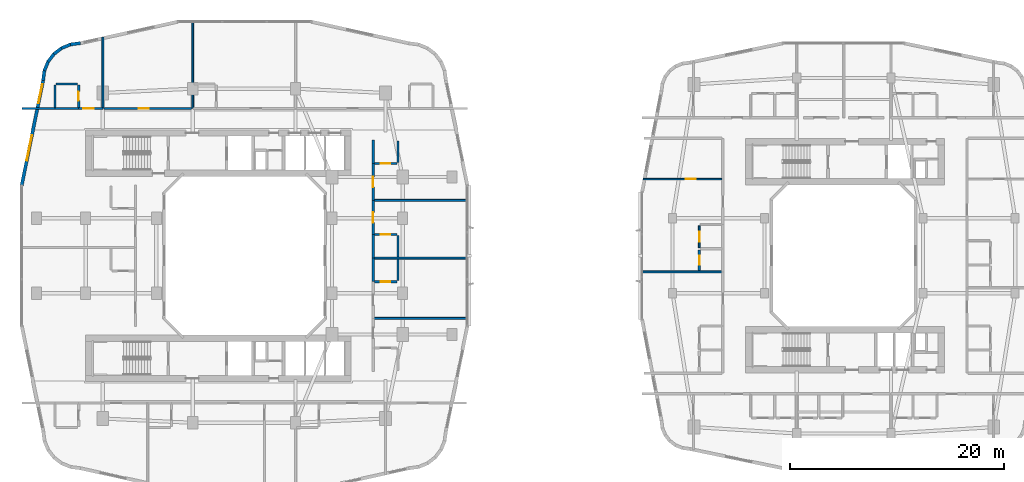
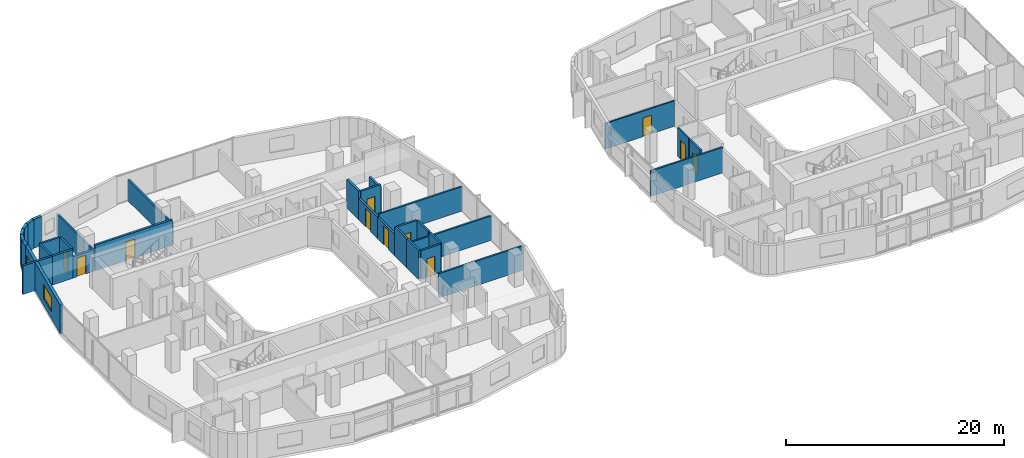
# One storey, part 16 of 27: 34 walls, 11 doors, 2 windows, 13 openings.
"""IFC4 building model written with IfcOpenShell, lengths in metres."""

from ifc_helpers import new_model, si_unit, derived_unit, direction, frame, frame_2d, origin, place, context, subcontext, project, spatial, rectangle, extrude, material, layer, layer_set, type_object, element, fill, save


model = new_model("IFC4")

# Units and contexts
model_context = context("Model", 3, precision=1e-05, world=origin(), true_north=direction((0.0, 1.0)))
body_context = subcontext(model_context, "Body", "Model", "MODEL_VIEW")
ifc_project = project(units=[si_unit("LENGTHUNIT", "METRE"), si_unit("AREAUNIT", "SQUARE_METRE"), si_unit("VOLUMEUNIT", "CUBIC_METRE"), si_unit("PLANEANGLEUNIT", "RADIAN"), si_unit("MASSUNIT", "GRAM", prefix="KILO"), derived_unit("THERMALTRANSMITTANCEUNIT", [(si_unit("POWERUNIT", "WATT"), 1), (si_unit("LENGTHUNIT", "METRE"), -2), (si_unit("THERMODYNAMICTEMPERATUREUNIT", "KELVIN"), -1)])], contexts=[model_context])

# Site, building, storey
site_placement = place(None, origin())
site = spatial("IfcSite", under=ifc_project, at=site_placement, CompositionType="ELEMENT")
building_placement = place(site_placement, origin())
building = spatial("IfcBuilding", under=site, at=building_placement, Name="Kivonza Crest Hotel", CompositionType="ELEMENT")
storey_placement = place(building_placement, frame((0.0, 0.0, 38.0)))
storey = spatial("IfcBuildingStorey", under=building, at=storey_placement, Name="L09", CompositionType="ELEMENT", Elevation=38.0)

# Walls
ifc_material_1 = material(Name="High-density acoustic masonry inter-tenancy wall", Category="masonry")
ifc_layer_1 = layer(ifc_material_1, 0.179931640625)
ifc_layer_set_1 = layer_set([ifc_layer_1], Name="High-density acoustic masonry inter-tenancy wall")
wall_type_1 = type_object("IfcWallType", Name="WL-ACOU-180", PredefinedType="SOLIDWALL", material=ifc_layer_set_1)
wall_1_placement = place(storey_placement, frame((7.800048828125, 38.75, 0.0), z_axis=(0.0, 0.0, 1.0), x_axis=(0.0, 1.0, 0.0)))
element("IfcWall", 1, at=wall_1_placement, inside=storey, type_object=wall_type_1, Name="L09 interior partition WA-L09-T1N-DIV1", PredefinedType="SOLIDWALL", context=body_context, shape_type="SweptSolid", body=[
    extrude(rectangle(XDim=6.656005859375, YDim=0.179931640625, at=frame_2d((3.328125, 0.0))), origin(), (0.0, 0.0, 1.0), 2.39501953125),
])
wall_2_placement = place(storey_placement, frame((16.199951171875, 38.75, 0.0), z_axis=(0.0, 0.0, 1.0), x_axis=(0.0, 1.0, 0.0)))
element("IfcWall", 2, at=wall_2_placement, inside=storey, type_object=wall_type_1, Name="L09 interior partition WA-L09-T1N-DIV2", PredefinedType="SOLIDWALL", context=body_context, shape_type="SweptSolid", body=[
    extrude(rectangle(XDim=8.18994140625, YDim=0.179931640625, at=frame_2d((4.094970703125, 0.0))), origin(), (0.0, 0.0, 1.0), 2.39501953125),
])
for number, where, z_axis, x_axis, name in (
    (3, (33.050048828125, 19.156005859375, 0.0), (0.0, 0.0, 1.0), (1.0, 0.0, 0.0), "L09 interior partition WA-L09-T1E-DIV1"),
    (4, (33.050048828125, 24.77197265625, 0.0), (0.0, 0.0, 1.0), (1.0, 0.0, 0.0), "L09 interior partition WA-L09-T1E-DIV2"),
    (5, (33.050048828125, 30.172119140625, 0.0), (0.0, 0.0, 1.0), (1.0, 0.0, 0.0), "L09 interior partition WA-L09-T1E-DIV3"),
):
    element("IfcWall", number, at=place(storey_placement, frame(where, z_axis=z_axis, x_axis=x_axis)), inside=storey, type_object=wall_type_1, Name=name, PredefinedType="SOLIDWALL", context=body_context, shape_type="SweptSolid", body=[
        extrude(rectangle(XDim=8.889892578125, YDim=0.179931640625, at=frame_2d((4.44482421875, 0.0))), origin(), (0.0, 0.0, 1.0), 2.7451171875),
    ])
wall_3_placement = place(storey_placement, frame((58.06005859375, 23.5, 0.0), z_axis=(0.0, 0.0, 1.0), x_axis=(1.0, 0.0, 0.0)))
element("IfcWall", 6, at=wall_3_placement, inside=storey, type_object=wall_type_1, Name="L09 interior partition WA-L09-T2W-DIV1", PredefinedType="SOLIDWALL", context=body_context, shape_type="SweptSolid", body=[
    extrude(rectangle(XDim=7.639892578125, YDim=0.179931640625, at=frame_2d((3.81982421875, 0.0))), origin(), (0.0, 0.0, 1.0), 2.864990234375),
])
ifc_material_2 = material(Name="Autoclaved aerated concrete blockwork", Category="masonry")
ifc_layer_2 = layer(ifc_material_2, 0.219970703125)
ifc_layer_set_2 = layer_set([ifc_layer_2], Name="Autoclaved aerated concrete blockwork")
wall_type_2 = type_object("IfcWallType", Name="WL-ACOU-220", PredefinedType="SOLIDWALL", material=ifc_layer_set_2)
wall_4_placement = place(storey_placement, frame((0.239990234375, 38.75, 0.0), z_axis=(0.0, 0.0, 1.0), x_axis=(1.0, 0.0, 0.0)))
element("IfcWall", 7, at=wall_4_placement, inside=storey, type_object=wall_type_2, Name="L09 interior partition WA-L09-N01-XCORR", PredefinedType="SOLIDWALL", context=body_context, shape_type="SweptSolid", body=[
    extrude(rectangle(XDim=3.110107421875, YDim=0.219970703125, at=frame_2d((1.55517578125, 0.0))), origin(), (0.0, 0.0, 1.0), 3.219970703125),
])
wall_5_placement = place(storey_placement, frame((3.35009765625, 38.75, 0.0), z_axis=(0.0, 0.0, 1.0), x_axis=(1.0, 0.0, 0.0)))
element("IfcWall", 8, at=wall_5_placement, inside=storey, type_object=wall_type_2, Name="L09 interior partition WA-L09-N01-BCORR", PredefinedType="SOLIDWALL", context=body_context, shape_type="SweptSolid", body=[
    extrude(rectangle(XDim=2.199951171875, YDim=0.219970703125, at=frame_2d((1.10009765625, 0.0))), origin(), (0.0, 0.0, 1.0), 3.219970703125),
])

# Wall, opening, door
wall_6_placement = place(storey_placement, frame((5.550048828125, 38.75, 0.0), z_axis=(0.0, 0.0, 1.0), x_axis=(1.0, 0.0, 0.0)))
wall_6 = element("IfcWall", 9, at=wall_6_placement, inside=storey, type_object=wall_type_2, Name="L09 interior partition WA-L09-N01-MCORR", PredefinedType="SOLIDWALL", context=body_context, shape_type="SweptSolid", body=[
    extrude(rectangle(XDim=2.25, YDim=0.219970703125, at=frame_2d((1.125, 0.0))), origin(), (0.0, 0.0, 1.0), 2.39501953125),
])
opening_1_placement = place(wall_6_placement, frame((0.43994140625, 0.0, 0.0)))
opening_1 = element("IfcOpeningElement", 10, at=opening_1_placement, cuts=wall_6, Name="Opening DU-60", PredefinedType="OPENING", context=body_context, shape_type="SweptSolid", body=[
    extrude(rectangle(XDim=0.949951171875, YDim=2.10009765625, at=frame_2d((0.47509765625, 1.050048828125))), frame((0.0, 0.1201171875, 0.0), z_axis=(0.0, -1.0, 0.0), x_axis=(1.0, 0.0, 0.0)), (0.0, 0.0, 1.0), 0.239990234375),
])
ifc_material_3 = material(Name="Hardwood timber oak", Category="wood")
door_type_1 = type_object("IfcDoorType", Name="DR-UNIT-950", OperationType="NOTDEFINED", PredefinedType="DOOR", material=ifc_material_3)
door_1_placement = place(opening_1_placement, origin())
door_1 = element("IfcDoor", 11, at=door_1_placement, inside=storey, type_object=door_type_1, Name="L09 N01 guest unit entrance fire door", OperationType="SINGLE_SWING_LEFT", OverallHeight=2.10009765625, OverallWidth=0.949951171875, PredefinedType="DOOR", context=body_context, shape_type="SweptSolid", body=[
    extrude(rectangle(XDim=0.949951171875, YDim=2.10009765625, at=frame_2d((0.47509765625, 1.050048828125))), frame((0.0, 0.02490234375, 0.0), z_axis=(0.0, -1.0, 0.0), x_axis=(1.0, 0.0, 0.0)), (0.0, 0.0, 1.0), 0.050048828125),
])
fill(opening_1, door_1)

wall_7_placement = place(storey_placement, frame((7.89990234375, 38.75, 0.0), z_axis=(0.0, 0.0, 1.0), x_axis=(1.0, 0.0, 0.0)))
wall_7 = element("IfcWall", 12, at=wall_7_placement, inside=storey, type_object=wall_type_2, Name="L09 interior partition WA-L09-HK-MAIN-S", PredefinedType="SOLIDWALL", context=body_context, shape_type="SweptSolid", body=[
    extrude(rectangle(XDim=8.2001953125, YDim=0.219970703125, at=frame_2d((4.10009765625, 0.0))), origin(), (0.0, 0.0, 1.0), 2.864990234375),
])
opening_2_placement = place(wall_7_placement, frame((3.251953125, 0.0, 0.0)))
opening_2 = element("IfcOpeningElement", 13, at=opening_2_placement, cuts=wall_7, Name="Opening DF-60S", PredefinedType="OPENING", context=body_context, shape_type="SweptSolid", body=[
    extrude(rectangle(XDim=0.949951171875, YDim=2.10009765625, at=frame_2d((0.47509765625, 1.050048828125))), frame((0.0, 0.1201171875, 0.0), z_axis=(0.0, -1.0, 0.0), x_axis=(1.0, 0.0, 0.0)), (0.0, 0.0, 1.0), 0.239990234375),
])
door_type_2 = type_object("IfcDoorType", Name="DR-FD60-950", OperationType="NOTDEFINED", PredefinedType="DOOR", material=ifc_material_3)
door_2_placement = place(opening_2_placement, origin())
door_2 = element("IfcDoor", 14, at=door_2_placement, inside=storey, type_object=door_type_2, Name="L09 Housekeeping and Linen Room door", OperationType="SINGLE_SWING_RIGHT", OverallHeight=2.10009765625, OverallWidth=0.949951171875, PredefinedType="DOOR", context=body_context, shape_type="SweptSolid", body=[
    extrude(rectangle(XDim=0.949951171875, YDim=2.10009765625, at=frame_2d((0.47509765625, 1.050048828125))), frame((0.0, 0.02490234375, 0.0), z_axis=(0.0, -1.0, 0.0), x_axis=(1.0, 0.0, 0.0)), (0.0, 0.0, 1.0), 0.050048828125),
])
fill(opening_2, door_2)

# Walls
for number, where, z_axis, x_axis, name in (
    (15, (33.050048828125, 22.572021484375, 0.0), (0.0, 0.0, 1.0), (0.0, 1.0, 0.0), "L09 interior partition WA-L09-E10-BCORR"),
    (16, (33.050048828125, 24.77197265625, 0.0), (0.0, 0.0, 1.0), (0.0, 1.0, 0.0), "L09 interior partition WA-L09-E11-BCORR"),
):
    element("IfcWall", number, at=place(storey_placement, frame(where, z_axis=z_axis, x_axis=x_axis)), inside=storey, type_object=wall_type_2, Name=name, PredefinedType="SOLIDWALL", context=body_context, shape_type="SweptSolid", body=[
        extrude(rectangle(XDim=2.199951171875, YDim=0.219970703125, at=frame_2d((1.10009765625, 0.0))), origin(), (0.0, 0.0, 1.0), 3.219970703125),
    ])

# Wall, opening, door
wall_8_placement = place(storey_placement, frame((33.050048828125, 26.971923828125, 0.0), z_axis=(0.0, 0.0, 1.0), x_axis=(0.0, 1.0, 0.0)))
wall_8 = element("IfcWall", 17, at=wall_8_placement, inside=storey, type_object=wall_type_2, Name="L09 interior partition WA-L09-E11-MCORR", PredefinedType="SOLIDWALL", context=body_context, shape_type="SweptSolid", body=[
    extrude(rectangle(XDim=3.2001953125, YDim=0.219970703125, at=frame_2d((1.60009765625, 0.0))), origin(), (0.0, 0.0, 1.0), 2.39501953125),
])
opening_3_placement = place(wall_8_placement, frame((1.125, 0.0, 0.0)))
opening_3 = element("IfcOpeningElement", 18, at=opening_3_placement, cuts=wall_8, Name="Opening DU-60", PredefinedType="OPENING", context=body_context, shape_type="SweptSolid", body=[
    extrude(rectangle(XDim=0.949951171875, YDim=2.10009765625, at=frame_2d((0.47509765625, 1.050048828125))), frame((0.0, 0.1201171875, 0.0), z_axis=(0.0, -1.0, 0.0), x_axis=(1.0, 0.0, 0.0)), (0.0, 0.0, 1.0), 0.239990234375),
])
door_3_placement = place(opening_3_placement, frame((0.949951171875, 0.0, 0.0), z_axis=(0.0, 0.0, 1.0), x_axis=(-1.0, 0.0, 0.0)))
door_3 = element("IfcDoor", 19, at=door_3_placement, inside=storey, type_object=door_type_1, Name="L09 E11 guest unit entrance fire door", OperationType="SINGLE_SWING_LEFT", OverallHeight=2.10009765625, OverallWidth=0.949951171875, PredefinedType="DOOR", context=body_context, shape_type="SweptSolid", body=[
    extrude(rectangle(XDim=0.949951171875, YDim=2.10009765625, at=frame_2d((0.47509765625, 1.050048828125))), frame((0.0, 0.02490234375, 0.0), z_axis=(0.0, -1.0, 0.0), x_axis=(1.0, 0.0, 0.0)), (0.0, 0.0, 1.0), 0.050048828125),
])
fill(opening_3, door_3)

# Wall
wall_9_placement = place(storey_placement, frame((33.050048828125, 33.60009765625, 0.0), z_axis=(0.0, 0.0, 1.0), x_axis=(0.0, 1.0, 0.0)))
element("IfcWall", 20, at=wall_9_placement, inside=storey, type_object=wall_type_2, Name="L09 interior partition WA-L09-E12-BCORR", PredefinedType="SOLIDWALL", context=body_context, shape_type="SweptSolid", body=[
    extrude(rectangle(XDim=2.199951171875, YDim=0.219970703125, at=frame_2d((1.10009765625, 0.0))), origin(), (0.0, 0.0, 1.0), 3.219970703125),
])

# Wall, opening, door
wall_10_placement = place(storey_placement, frame((33.050048828125, 30.172119140625, 0.0), z_axis=(0.0, 0.0, 1.0), x_axis=(0.0, 1.0, 0.0)))
wall_10 = element("IfcWall", 21, at=wall_10_placement, inside=storey, type_object=wall_type_2, Name="L09 interior partition WA-L09-E12-MCORR", PredefinedType="SOLIDWALL", context=body_context, shape_type="SweptSolid", body=[
    extrude(rectangle(XDim=3.427978515625, YDim=0.219970703125, at=frame_2d((1.7138671875, 0.0))), origin(), (0.0, 0.0, 1.0), 2.39501953125),
])
opening_4_placement = place(wall_10_placement, frame((1.239013671875, 0.0, 0.0)))
opening_4 = element("IfcOpeningElement", 22, at=opening_4_placement, cuts=wall_10, Name="Opening DU-60", PredefinedType="OPENING", context=body_context, shape_type="SweptSolid", body=[
    extrude(rectangle(XDim=0.949951171875, YDim=2.10009765625, at=frame_2d((0.47509765625, 1.050048828125))), frame((0.0, 0.1201171875, 0.0), z_axis=(0.0, -1.0, 0.0), x_axis=(1.0, 0.0, 0.0)), (0.0, 0.0, 1.0), 0.239990234375),
])
door_4_placement = place(opening_4_placement, frame((0.949951171875, 0.0, 0.0), z_axis=(0.0, 0.0, 1.0), x_axis=(-1.0, 0.0, 0.0)))
door_4 = element("IfcDoor", 23, at=door_4_placement, inside=storey, type_object=door_type_1, Name="L09 E12 guest unit entrance fire door", OperationType="SINGLE_SWING_RIGHT", OverallHeight=2.10009765625, OverallWidth=0.949951171875, PredefinedType="DOOR", context=body_context, shape_type="SweptSolid", body=[
    extrude(rectangle(XDim=0.949951171875, YDim=2.10009765625, at=frame_2d((0.47509765625, 1.050048828125))), frame((0.0, 0.02490234375, 0.0), z_axis=(0.0, -1.0, 0.0), x_axis=(1.0, 0.0, 0.0)), (0.0, 0.0, 1.0), 0.050048828125),
])
fill(opening_4, door_4)

# Walls
ifc_material_4 = material(Name="Precast concrete C40/50", Category="concrete")
ifc_layer_3 = layer(ifc_material_4, 0.300048828125)
ifc_layer_set_3 = layer_set([ifc_layer_3], Name="Precast concrete C40/50")
wall_type_3 = type_object("IfcWallType", Name="WL-EXT-300", PredefinedType="STANDARD", material=ifc_layer_set_3)
wall_11_placement = place(storey_placement, frame((5.7080078125, 44.85205078125, 0.0), z_axis=(0.0, 0.0, 1.0), x_axis=(-0.991359246108, -0.131174864804, 0.0)))
element("IfcWall", 24, at=wall_11_placement, inside=storey, type_object=wall_type_3, Name="L09 T1 exterior insulated wall 28", PredefinedType="STANDARD", context=body_context, shape_type="SweptSolid", body=[
    extrude(rectangle(XDim=0.93798828125, YDim=0.300048828125, at=frame_2d((0.468994140625, 0.0))), origin(), (0.0, 0.0, 1.0), 3.219970703125),
])
wall_12_placement = place(storey_placement, frame((4.827880859375, 44.748046875, 0.0), z_axis=(0.0, 0.0, 1.0), x_axis=(-0.923982547689, -0.382434636986, 0.0)))
element("IfcWall", 25, at=wall_12_placement, inside=storey, type_object=wall_type_3, Name="L09 T1 exterior insulated wall 29", PredefinedType="STANDARD", context=body_context, shape_type="SweptSolid", body=[
    extrude(rectangle(XDim=0.954345703125, YDim=0.300048828125, at=frame_2d((0.47705078125, 0.0))), origin(), (0.0, 0.0, 1.0), 3.219970703125),
])
for number, where, z_axis, x_axis, name in (
    (26, (3.990966796875, 44.4140625, 0.0), (0.0, 0.0, 1.0), (-0.793668068435, -0.608351047625, 0.0), "L09 T1 exterior insulated wall 30"),
    (27, (3.26806640625, 43.875, 0.0), (0.0, 0.0, 1.0), (-0.608351047625, -0.793668068435, 0.0), "L09 T1 exterior insulated wall 31"),
):
    element("IfcWall", number, at=place(storey_placement, frame(where, z_axis=z_axis, x_axis=x_axis)), inside=storey, type_object=wall_type_3, Name=name, PredefinedType="STANDARD", context=body_context, shape_type="SweptSolid", body=[
        extrude(rectangle(XDim=0.955078125, YDim=0.300048828125, at=frame_2d((0.4775390625, 0.0))), origin(), (0.0, 0.0, 1.0), 3.219970703125),
    ])
wall_13_placement = place(storey_placement, frame((2.7109375, 43.166015625, 0.0), z_axis=(0.0, 0.0, 1.0), x_axis=(-0.382344263057, -0.924019948111, 0.0)))
element("IfcWall", 28, at=wall_13_placement, inside=storey, type_object=wall_type_3, Name="L09 T1 exterior insulated wall 32", PredefinedType="STANDARD", context=body_context, shape_type="SweptSolid", body=[
    extrude(rectangle(XDim=0.95458984375, YDim=0.300048828125, at=frame_2d((0.477294921875, 0.0))), origin(), (0.0, 0.0, 1.0), 3.219970703125),
])
wall_14_placement = place(storey_placement, frame((2.35498046875, 42.3369140625, 0.0), z_axis=(0.0, 0.0, 1.0), x_axis=(-0.130454512571, -0.991454295543, 0.0)))
element("IfcWall", 29, at=wall_14_placement, inside=storey, type_object=wall_type_3, Name="L09 T1 exterior insulated wall 33", PredefinedType="STANDARD", context=body_context, shape_type="SweptSolid", body=[
    extrude(rectangle(XDim=0.97314453125, YDim=0.300048828125, at=frame_2d((0.486572265625, 0.0))), origin(), (0.0, 0.0, 1.0), 3.219970703125),
])

# Wall, openings, windows
wall_15_placement = place(storey_placement, frame((2.22900390625, 41.3779296875, 0.0), z_axis=(0.0, 0.0, 1.0), x_axis=(-0.199990901713, -0.979797754249, 0.0)))
wall_15 = element("IfcWall", 30, at=wall_15_placement, inside=storey, type_object=wall_type_3, Name="L09 T1 exterior insulated wall 34", PredefinedType="STANDARD", context=body_context, shape_type="SweptSolid", body=[
    extrude(rectangle(XDim=10.065185546875, YDim=0.300048828125, at=frame_2d((5.03271484375, 0.0))), origin(), (0.0, 0.0, 1.0), 3.219970703125),
])
opening_5_placement = place(wall_15_placement, frame((0.3779296875, 0.0, 0.85009765625)))
opening_5 = element("IfcOpeningElement", 31, at=opening_5_placement, cuts=wall_15, Name="Opening WN-03", PredefinedType="OPENING", context=body_context, shape_type="SweptSolid", body=[
    extrude(rectangle(XDim=1.800048828125, YDim=1.5, at=frame_2d((0.89990234375, 0.75))), frame((0.0, 0.16015625, 0.0), z_axis=(0.0, -1.0, 0.0), x_axis=(1.0, 0.0, 0.0)), (0.0, 0.0, 1.0), 0.320068359375),
])
opening_6_placement = place(wall_15_placement, frame((5.236083984375, 0.0, 0.800048828125)))
opening_6 = element("IfcOpeningElement", 32, at=opening_6_placement, cuts=wall_15, Name="Opening WN-05", PredefinedType="OPENING", context=body_context, shape_type="SweptSolid", body=[
    extrude(rectangle(XDim=2.39990234375, YDim=1.60009765625, at=frame_2d((1.199951171875, 0.800048828125))), frame((0.0, 0.16015625, 0.0), z_axis=(0.0, -1.0, 0.0), x_axis=(1.0, 0.0, 0.0)), (0.0, 0.0, 1.0), 0.320068359375),
])
ifc_material_5 = material(Name="Thermally broken bronze aluminium and low-E double glazing", Category="aluminium")
window_type_1 = type_object("IfcWindowType", Name="WN-180x150", PartitioningType="DOUBLE_PANEL_VERTICAL", PredefinedType="WINDOW", material=ifc_material_5)
window_1_placement = place(opening_5_placement, origin())
window_1 = element("IfcWindow", 33, at=window_1_placement, inside=storey, type_object=window_type_1, Name="L09 T1 facade window 34 bay 1", OverallHeight=1.5, OverallWidth=1.800048828125, PartitioningType="SINGLE_PANEL", PredefinedType="WINDOW", context=body_context, shape_type="SweptSolid", body=[
    extrude(rectangle(XDim=1.800048828125, YDim=1.5, at=frame_2d((0.89990234375, 0.75))), frame((0.0, 0.030029296875, 0.0), z_axis=(0.0, -1.0, 0.0), x_axis=(1.0, 0.0, 0.0)), (0.0, 0.0, 1.0), 0.06005859375),
])
fill(opening_5, window_1)
window_type_2 = type_object("IfcWindowType", Name="WN-240x160", PartitioningType="TRIPLE_PANEL_VERTICAL", PredefinedType="WINDOW", material=ifc_material_5)
window_2_placement = place(opening_6_placement, origin())
window_2 = element("IfcWindow", 34, at=window_2_placement, inside=storey, type_object=window_type_2, Name="L09 T1 facade window 34 bay 2", OverallHeight=1.60009765625, OverallWidth=2.39990234375, PartitioningType="SINGLE_PANEL", PredefinedType="WINDOW", context=body_context, shape_type="SweptSolid", body=[
    extrude(rectangle(XDim=2.39990234375, YDim=1.60009765625, at=frame_2d((1.199951171875, 0.800048828125))), frame((0.0, 0.030029296875, 0.0), z_axis=(0.0, -1.0, 0.0), x_axis=(1.0, 0.0, 0.0)), (0.0, 0.0, 1.0), 0.06005859375),
])
fill(opening_6, window_2)

# Wall, opening, door
ifc_material_6 = material(Name="Twin-stud acoustic gypsum board partition", Category="gypsum")
ifc_layer_4 = layer(ifc_material_6, 0.14990234375)
ifc_layer_set_4 = layer_set([ifc_layer_4], Name="Twin-stud acoustic gypsum board partition")
wall_type_4 = type_object("IfcWallType", Name="WL-PART-150", PredefinedType="PARTITIONING", material=ifc_layer_set_4)
wall_16_placement = place(storey_placement, frame((58.260009765625, 32.159912109375, 0.0), z_axis=(0.0, 0.0, 1.0), x_axis=(1.0, 0.0, 0.0)))
wall_16 = element("IfcWall", 35, at=wall_16_placement, inside=storey, type_object=wall_type_4, Name="L09 interior partition WP-L09-A07-BD1", PredefinedType="PARTITIONING", context=body_context, shape_type="SweptSolid", body=[
    extrude(rectangle(XDim=7.340087890625, YDim=0.14990234375, at=frame_2d((3.669921875, 0.0))), origin(), (0.0, 0.0, 1.0), 2.864990234375),
])
opening_7_placement = place(wall_16_placement, frame((3.989990234375, 0.0, 0.0)))
opening_7 = element("IfcOpeningElement", 36, at=opening_7_placement, cuts=wall_16, Name="Opening DI-90", PredefinedType="OPENING", context=body_context, shape_type="SweptSolid", body=[
    extrude(rectangle(XDim=0.89990234375, YDim=2.10009765625, at=frame_2d((0.449951171875, 1.050048828125))), frame((0.0, 0.0849609375, 0.0), z_axis=(0.0, -1.0, 0.0), x_axis=(1.0, 0.0, 0.0)), (0.0, 0.0, 1.0), 0.169921875),
])
door_type_3 = type_object("IfcDoorType", Name="DR-INT-900", OperationType="NOTDEFINED", PredefinedType="DOOR", material=ifc_material_3)
door_5_placement = place(opening_7_placement, origin())
door_5 = element("IfcDoor", 37, at=door_5_placement, inside=storey, type_object=door_type_3, Name="L09 A07 bedroom door", OperationType="SINGLE_SWING_RIGHT", OverallHeight=2.10009765625, OverallWidth=0.89990234375, PredefinedType="DOOR", context=body_context, shape_type="SweptSolid", body=[
    extrude(rectangle(XDim=0.89990234375, YDim=2.10009765625, at=frame_2d((0.449951171875, 1.050048828125))), frame((0.0, 0.02490234375, 0.0), z_axis=(0.0, -1.0, 0.0), x_axis=(1.0, 0.0, 0.0)), (0.0, 0.0, 1.0), 0.050048828125),
])
fill(opening_7, door_5)

wall_17_placement = place(storey_placement, frame((63.5, 25.75, 0.0), z_axis=(0.0, 0.0, 1.0), x_axis=(0.0, 1.0, 0.0)))
wall_17 = element("IfcWall", 38, at=wall_17_placement, inside=storey, type_object=wall_type_4, Name="L09 interior partition WP-L09-A07-KSVC", PredefinedType="PARTITIONING", context=body_context, shape_type="SweptSolid", body=[
    extrude(rectangle(XDim=2.050048828125, YDim=0.14990234375, at=frame_2d((1.02490234375, 0.0))), origin(), (0.0, 0.0, 1.0), 3.219970703125),
])
opening_8_placement = place(wall_17_placement, frame((0.574951171875, 0.0, 0.0)))
opening_8 = element("IfcOpeningElement", 39, at=opening_8_placement, cuts=wall_17, Name="Opening DI-90", PredefinedType="OPENING", context=body_context, shape_type="SweptSolid", body=[
    extrude(rectangle(XDim=0.89990234375, YDim=2.10009765625, at=frame_2d((0.449951171875, 1.050048828125))), frame((0.0, 0.0849609375, 0.0), z_axis=(0.0, -1.0, 0.0), x_axis=(1.0, 0.0, 0.0)), (0.0, 0.0, 1.0), 0.169921875),
])
door_6_placement = place(opening_8_placement, origin())
door_6 = element("IfcDoor", 40, at=door_6_placement, inside=storey, type_object=door_type_3, Name="L09 A07 apartment kitchen door", OperationType="SINGLE_SWING_LEFT", OverallHeight=2.10009765625, OverallWidth=0.89990234375, PredefinedType="DOOR", context=body_context, shape_type="SweptSolid", body=[
    extrude(rectangle(XDim=0.89990234375, YDim=2.10009765625, at=frame_2d((0.449951171875, 1.050048828125))), frame((0.0, 0.02490234375, 0.0), z_axis=(0.0, -1.0, 0.0), x_axis=(1.0, 0.0, 0.0)), (0.0, 0.0, 1.0), 0.050048828125),
])
fill(opening_8, door_6)

ifc_material_7 = material(Name="Moisture-resistant plumbing chase partition wall", Category="gypsum")
ifc_layer_5 = layer(ifc_material_7, 0.199951171875)
ifc_layer_set_5 = layer_set([ifc_layer_5], Name="Moisture-resistant plumbing chase partition wall")
wall_type_5 = type_object("IfcWallType", Name="WL-PLUMB-200", PredefinedType="PLUMBINGWALL", material=ifc_layer_set_5)
wall_18_placement = place(storey_placement, frame((5.550048828125, 38.85009765625, 0.0), z_axis=(0.0, 0.0, 1.0), x_axis=(0.0, 1.0, 0.0)))
wall_18 = element("IfcWall", 41, at=wall_18_placement, inside=storey, type_object=wall_type_5, Name="L09 interior partition WW-L09-N01-BV", PredefinedType="PLUMBINGWALL", context=body_context, shape_type="SweptSolid", body=[
    extrude(rectangle(XDim=2.099853515625, YDim=0.199951171875, at=frame_2d((1.0498046875, 0.0))), origin(), (0.0, 0.0, 1.0), 3.219970703125),
])
opening_9_placement = place(wall_18_placement, frame((0.625, 0.0, 0.0)))
opening_9 = element("IfcOpeningElement", 42, at=opening_9_placement, cuts=wall_18, Name="Opening DI-85", PredefinedType="OPENING", context=body_context, shape_type="SweptSolid", body=[
    extrude(rectangle(XDim=0.85009765625, YDim=2.10009765625, at=frame_2d((0.425048828125, 1.050048828125))), frame((0.0, 0.10986328125, 0.0), z_axis=(0.0, -1.0, 0.0), x_axis=(1.0, 0.0, 0.0)), (0.0, 0.0, 1.0), 0.219970703125),
])
door_type_4 = type_object("IfcDoorType", Name="DR-INT-850", OperationType="NOTDEFINED", PredefinedType="DOOR", material=ifc_material_3)
door_7_placement = place(opening_9_placement, frame((0.85009765625, 0.0, 0.0), z_axis=(0.0, 0.0, 1.0), x_axis=(-1.0, 0.0, 0.0)))
door_7 = element("IfcDoor", 43, at=door_7_placement, inside=storey, type_object=door_type_4, Name="L09 N01 en-suite bathroom door", OperationType="SINGLE_SWING_RIGHT", OverallHeight=2.10009765625, OverallWidth=0.85009765625, PredefinedType="DOOR", context=body_context, shape_type="SweptSolid", body=[
    extrude(rectangle(XDim=0.85009765625, YDim=2.10009765625, at=frame_2d((0.425048828125, 1.050048828125))), frame((0.0, 0.02490234375, 0.0), z_axis=(0.0, -1.0, 0.0), x_axis=(1.0, 0.0, 0.0)), (0.0, 0.0, 1.0), 0.050048828125),
])
fill(opening_9, door_7)

# Walls
wall_19_placement = place(storey_placement, frame((3.449951171875, 41.050048828125, 0.0), z_axis=(0.0, 0.0, 1.0), x_axis=(1.0, 0.0, 0.0)))
element("IfcWall", 44, at=wall_19_placement, inside=storey, type_object=wall_type_5, Name="L09 interior partition WW-L09-N01-BH", PredefinedType="PLUMBINGWALL", context=body_context, shape_type="SweptSolid", body=[
    extrude(rectangle(XDim=2.0, YDim=0.199951171875, at=frame_2d((1.0, 0.0))), origin(), (0.0, 0.0, 1.0), 3.219970703125),
])
wall_20_placement = place(storey_placement, frame((3.35009765625, 38.85009765625, 0.0), z_axis=(0.0, 0.0, 1.0), x_axis=(0.0, 1.0, 0.0)))
element("IfcWall", 45, at=wall_20_placement, inside=storey, type_object=wall_type_5, Name="L09 interior partition WW-L09-N01-BVW", PredefinedType="PLUMBINGWALL", context=body_context, shape_type="SweptSolid", body=[
    extrude(rectangle(XDim=2.099853515625, YDim=0.199951171875, at=frame_2d((1.0498046875, 0.0))), origin(), (0.0, 0.0, 1.0), 3.219970703125),
])

# Wall, opening, door
wall_21_placement = place(storey_placement, frame((33.14990234375, 22.572021484375, 0.0), z_axis=(0.0, 0.0, 1.0), x_axis=(1.0, 0.0, 0.0)))
wall_21 = element("IfcWall", 46, at=wall_21_placement, inside=storey, type_object=wall_type_5, Name="L09 interior partition WW-L09-E10-BH", PredefinedType="PLUMBINGWALL", context=body_context, shape_type="SweptSolid", body=[
    extrude(rectangle(XDim=2.10009765625, YDim=0.199951171875, at=frame_2d((1.050048828125, 0.0))), origin(), (0.0, 0.0, 1.0), 3.219970703125),
])
opening_10_placement = place(wall_21_placement, frame((0.625, 0.0, 0.0)))
opening_10 = element("IfcOpeningElement", 47, at=opening_10_placement, cuts=wall_21, Name="Opening DI-85", PredefinedType="OPENING", context=body_context, shape_type="SweptSolid", body=[
    extrude(rectangle(XDim=0.85009765625, YDim=2.10009765625, at=frame_2d((0.425048828125, 1.050048828125))), frame((0.0, 0.10986328125, 0.0), z_axis=(0.0, -1.0, 0.0), x_axis=(1.0, 0.0, 0.0)), (0.0, 0.0, 1.0), 0.219970703125),
])
door_8_placement = place(opening_10_placement, frame((0.85009765625, 0.0, 0.0), z_axis=(0.0, 0.0, 1.0), x_axis=(-1.0, 0.0, 0.0)))
door_8 = element("IfcDoor", 48, at=door_8_placement, inside=storey, type_object=door_type_4, Name="L09 E10 en-suite bathroom door", OperationType="SINGLE_SWING_LEFT", OverallHeight=2.10009765625, OverallWidth=0.85009765625, PredefinedType="DOOR", context=body_context, shape_type="SweptSolid", body=[
    extrude(rectangle(XDim=0.85009765625, YDim=2.10009765625, at=frame_2d((0.425048828125, 1.050048828125))), frame((0.0, 0.02490234375, 0.0), z_axis=(0.0, -1.0, 0.0), x_axis=(1.0, 0.0, 0.0)), (0.0, 0.0, 1.0), 0.050048828125),
])
fill(opening_10, door_8)

# Wall
wall_22_placement = place(storey_placement, frame((35.35009765625, 22.672119140625, 0.0), z_axis=(0.0, 0.0, 1.0), x_axis=(0.0, 1.0, 0.0)))
element("IfcWall", 49, at=wall_22_placement, inside=storey, type_object=wall_type_5, Name="L09 interior partition WW-L09-E10-BV", PredefinedType="PLUMBINGWALL", context=body_context, shape_type="SweptSolid", body=[
    extrude(rectangle(XDim=2.0, YDim=0.199951171875, at=frame_2d((1.0, 0.0))), origin(), (0.0, 0.0, 1.0), 3.219970703125),
])

# Wall, opening, door
wall_23_placement = place(storey_placement, frame((33.14990234375, 26.971923828125, 0.0), z_axis=(0.0, 0.0, 1.0), x_axis=(1.0, 0.0, 0.0)))
wall_23 = element("IfcWall", 50, at=wall_23_placement, inside=storey, type_object=wall_type_5, Name="L09 interior partition WW-L09-E11-BH", PredefinedType="PLUMBINGWALL", context=body_context, shape_type="SweptSolid", body=[
    extrude(rectangle(XDim=2.10009765625, YDim=0.199951171875, at=frame_2d((1.050048828125, 0.0))), origin(), (0.0, 0.0, 1.0), 3.219970703125),
])
opening_11_placement = place(wall_23_placement, frame((0.625, 0.0, 0.0)))
opening_11 = element("IfcOpeningElement", 51, at=opening_11_placement, cuts=wall_23, Name="Opening DI-85", PredefinedType="OPENING", context=body_context, shape_type="SweptSolid", body=[
    extrude(rectangle(XDim=0.85009765625, YDim=2.10009765625, at=frame_2d((0.425048828125, 1.050048828125))), frame((0.0, 0.10986328125, 0.0), z_axis=(0.0, -1.0, 0.0), x_axis=(1.0, 0.0, 0.0)), (0.0, 0.0, 1.0), 0.219970703125),
])
door_9_placement = place(opening_11_placement, origin())
door_9 = element("IfcDoor", 52, at=door_9_placement, inside=storey, type_object=door_type_4, Name="L09 E11 en-suite bathroom door", OperationType="SINGLE_SWING_RIGHT", OverallHeight=2.10009765625, OverallWidth=0.85009765625, PredefinedType="DOOR", context=body_context, shape_type="SweptSolid", body=[
    extrude(rectangle(XDim=0.85009765625, YDim=2.10009765625, at=frame_2d((0.425048828125, 1.050048828125))), frame((0.0, 0.02490234375, 0.0), z_axis=(0.0, -1.0, 0.0), x_axis=(1.0, 0.0, 0.0)), (0.0, 0.0, 1.0), 0.050048828125),
])
fill(opening_11, door_9)

# Wall
wall_24_placement = place(storey_placement, frame((35.35009765625, 24.8720703125, 0.0), z_axis=(0.0, 0.0, 1.0), x_axis=(0.0, 1.0, 0.0)))
element("IfcWall", 53, at=wall_24_placement, inside=storey, type_object=wall_type_5, Name="L09 interior partition WW-L09-E11-BV", PredefinedType="PLUMBINGWALL", context=body_context, shape_type="SweptSolid", body=[
    extrude(rectangle(XDim=2.0, YDim=0.199951171875, at=frame_2d((1.0, 0.0))), origin(), (0.0, 0.0, 1.0), 3.219970703125),
])

# Wall, opening, door
wall_25_placement = place(storey_placement, frame((33.14990234375, 33.60009765625, 0.0), z_axis=(0.0, 0.0, 1.0), x_axis=(1.0, 0.0, 0.0)))
wall_25 = element("IfcWall", 54, at=wall_25_placement, inside=storey, type_object=wall_type_5, Name="L09 interior partition WW-L09-E12-BH", PredefinedType="PLUMBINGWALL", context=body_context, shape_type="SweptSolid", body=[
    extrude(rectangle(XDim=2.10009765625, YDim=0.199951171875, at=frame_2d((1.050048828125, 0.0))), origin(), (0.0, 0.0, 1.0), 3.219970703125),
])
opening_12_placement = place(wall_25_placement, frame((0.625, 0.0, 0.0)))
opening_12 = element("IfcOpeningElement", 55, at=opening_12_placement, cuts=wall_25, Name="Opening DI-85", PredefinedType="OPENING", context=body_context, shape_type="SweptSolid", body=[
    extrude(rectangle(XDim=0.85009765625, YDim=2.10009765625, at=frame_2d((0.425048828125, 1.050048828125))), frame((0.0, 0.10986328125, 0.0), z_axis=(0.0, -1.0, 0.0), x_axis=(1.0, 0.0, 0.0)), (0.0, 0.0, 1.0), 0.219970703125),
])
door_10_placement = place(opening_12_placement, frame((0.85009765625, 0.0, 0.0), z_axis=(0.0, 0.0, 1.0), x_axis=(-1.0, 0.0, 0.0)))
door_10 = element("IfcDoor", 56, at=door_10_placement, inside=storey, type_object=door_type_4, Name="L09 E12 en-suite bathroom door", OperationType="SINGLE_SWING_LEFT", OverallHeight=2.10009765625, OverallWidth=0.85009765625, PredefinedType="DOOR", context=body_context, shape_type="SweptSolid", body=[
    extrude(rectangle(XDim=0.85009765625, YDim=2.10009765625, at=frame_2d((0.425048828125, 1.050048828125))), frame((0.0, 0.02490234375, 0.0), z_axis=(0.0, -1.0, 0.0), x_axis=(1.0, 0.0, 0.0)), (0.0, 0.0, 1.0), 0.050048828125),
])
fill(opening_12, door_10)

# Wall
wall_26_placement = place(storey_placement, frame((35.35009765625, 33.699951171875, 0.0), z_axis=(0.0, 0.0, 1.0), x_axis=(0.0, 1.0, 0.0)))
element("IfcWall", 57, at=wall_26_placement, inside=storey, type_object=wall_type_5, Name="L09 interior partition WW-L09-E12-BV", PredefinedType="PLUMBINGWALL", context=body_context, shape_type="SweptSolid", body=[
    extrude(rectangle(XDim=2.0, YDim=0.199951171875, at=frame_2d((1.0, 0.0))), origin(), (0.0, 0.0, 1.0), 2.7451171875),
])

# Wall, opening, door
wall_27_placement = place(storey_placement, frame((63.5, 23.60009765625, 0.0), z_axis=(0.0, 0.0, 1.0), x_axis=(0.0, 1.0, 0.0)))
wall_27 = element("IfcWall", 58, at=wall_27_placement, inside=storey, type_object=wall_type_5, Name="L09 interior partition WW-L09-A07-BSVC", PredefinedType="PLUMBINGWALL", context=body_context, shape_type="SweptSolid", body=[
    extrude(rectangle(XDim=1.949951171875, YDim=0.199951171875, at=frame_2d((0.97509765625, 0.0))), origin(), (0.0, 0.0, 1.0), 3.219970703125),
])
opening_13_placement = place(wall_27_placement, frame((0.550048828125, 0.0, 0.0)))
opening_13 = element("IfcOpeningElement", 59, at=opening_13_placement, cuts=wall_27, Name="Opening DI-85", PredefinedType="OPENING", context=body_context, shape_type="SweptSolid", body=[
    extrude(rectangle(XDim=0.85009765625, YDim=2.10009765625, at=frame_2d((0.425048828125, 1.050048828125))), frame((0.0, 0.10986328125, 0.0), z_axis=(0.0, -1.0, 0.0), x_axis=(1.0, 0.0, 0.0)), (0.0, 0.0, 1.0), 0.219970703125),
])
door_11_placement = place(opening_13_placement, origin())
door_11 = element("IfcDoor", 60, at=door_11_placement, inside=storey, type_object=door_type_4, Name="L09 A07 apartment bathroom door", OperationType="SINGLE_SWING_RIGHT", OverallHeight=2.10009765625, OverallWidth=0.85009765625, PredefinedType="DOOR", context=body_context, shape_type="SweptSolid", body=[
    extrude(rectangle(XDim=0.85009765625, YDim=2.10009765625, at=frame_2d((0.425048828125, 1.050048828125))), frame((0.0, 0.02490234375, 0.0), z_axis=(0.0, -1.0, 0.0), x_axis=(1.0, 0.0, 0.0)), (0.0, 0.0, 1.0), 0.050048828125),
])
fill(opening_13, door_11)

save(model, "model.ifc")
